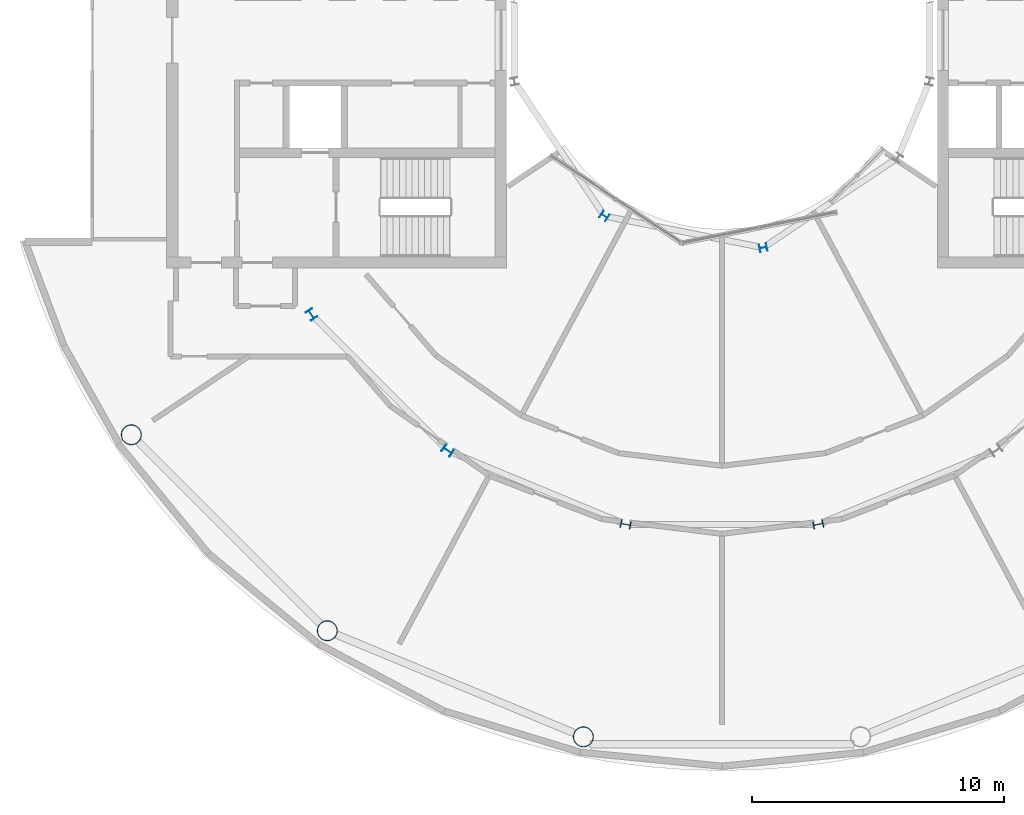
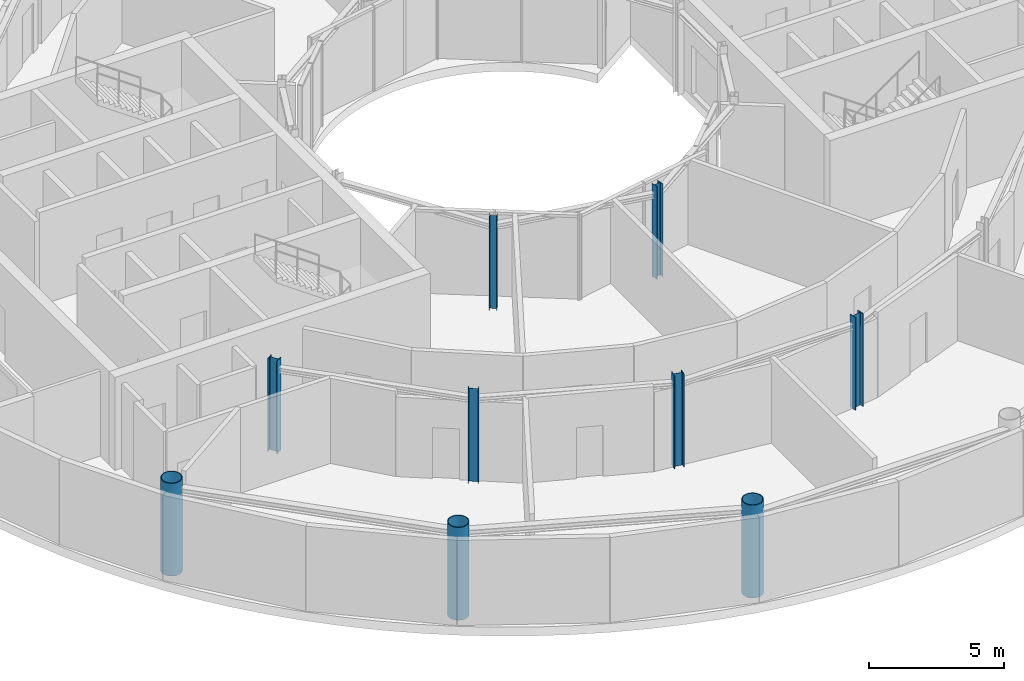
# One storey, part 1 of 19: 9 columns.
"""IFC4 building model written with IfcOpenShell, lengths in metres."""

from ifc_helpers import new_model, si_unit, direction, frame, origin, origin_2d, place, context, subcontext, project, spatial, hollow_circle, i_section, extrude, material, material_profile, profile_set, type_object, element, save


model = new_model("IFC4")

# Units and contexts
model_context = context("Model", 3, precision=1e-05, world=origin(), true_north=direction((0.0, 1.0)))
body_context = subcontext(model_context, "Body", "Model", "MODEL_VIEW")
ifc_project = project(units=[si_unit("LENGTHUNIT", "METRE"), si_unit("AREAUNIT", "SQUARE_METRE"), si_unit("VOLUMEUNIT", "CUBIC_METRE"), si_unit("PLANEANGLEUNIT", "RADIAN"), si_unit("MASSUNIT", "GRAM", prefix="KILO")], contexts=[model_context])

# Site, building, storey
site_placement = place(None, origin())
site = spatial("IfcSite", under=ifc_project, at=site_placement, CompositionType="ELEMENT")
building_placement = place(site_placement, origin())
building = spatial("IfcBuilding", under=site, at=building_placement, Name="Maasbend Ring Residences", CompositionType="ELEMENT")
storey_placement = place(building_placement, frame((0.0, 0.0, 186.0)))
storey = spatial("IfcBuildingStorey", under=building, at=storey_placement, Name="L53", CompositionType="ELEMENT", Elevation=186.0)

# Columns
ifc_material_1 = material(Name="Composite concrete-filled steel tube S460NH / C80/95", Category="concrete")
ifc_material_profile_1 = material_profile(ifc_material_1, hollow_circle(Radius=0.406494140625, WallThickness=0.030029296875, at=origin_2d()), Name="Composite tube column CHS 813x30")
ifc_profile_set_1 = profile_set([ifc_material_profile_1], Name="Composite concrete-filled steel tube S460NH / C80/95")
column_type_1 = type_object("IfcColumnType", Name="Composite tube column CHS 813x30", PredefinedType="COLUMN", material=ifc_profile_set_1)
for number, where, z_axis, x_axis, name in (
    (1, (-23.447509765625, -15.6669921875, 0.0), (0.0, 0.0, 1.0), (1.0, 0.0, 0.0), "Outer column R10"),
    (2, (-15.6669921875, -23.447509765625, 0.0), (0.0, 0.0, 1.0), (1.0, 0.0, 0.0), "Outer column R11"),
    (3, (-5.50146484375, -27.658203125, 0.0), (0.0, 0.0, 1.0), (1.0, 0.0, 0.0), "Outer column R12"),
):
    element("IfcColumn", number, at=place(storey_placement, frame(where, z_axis=z_axis, x_axis=x_axis)), inside=storey, type_object=column_type_1, Name=name, PredefinedType="COLUMN", context=body_context, shape_type="SweptSolid", body=[
        extrude(hollow_circle(Radius=0.406494140625, WallThickness=0.030029296875, at=origin_2d()), origin(), (0.0, 0.0, 1.0), 4.199951171875),
    ])
ifc_material_2 = material(Name="Steel S355J2", Category="steel")
ifc_material_profile_2 = material_profile(ifc_material_2, i_section(OverallWidth=0.300048828125, OverallDepth=0.2900390625, WebThickness=0.008544921875, FlangeThickness=0.013916015625, FilletRadius=0.027099609375, at=origin_2d()), Name="HEA 300")
ifc_profile_set_2 = profile_set([ifc_material_profile_2], Name="Steel S355J2")
column_type_2 = type_object("IfcColumnType", Name="Steel column HEA 300", PredefinedType="COLUMN", material=ifc_profile_set_2)
for number, where, z_axis, x_axis, name in (
    (4, (-4.666748046875, -6.984375, 0.0), (0.0, 0.0, 1.0), (-0.55557023302, -0.831469612303, 0.0), "Well ring column R11"),
    (5, (1.638916015625, -8.238525390625, 0.0), (0.0, 0.0, 1.0), (0.195090322016, -0.980785280403, 0.0), "Well ring column R13"),
):
    element("IfcColumn", number, at=place(storey_placement, frame(where, z_axis=z_axis, x_axis=x_axis)), inside=storey, type_object=column_type_2, Name=name, PredefinedType="COLUMN", context=body_context, shape_type="SweptSolid", body=[
        extrude(i_section(OverallWidth=0.300048828125, OverallDepth=0.2900390625, WebThickness=0.008544921875, FlangeThickness=0.013916015625, FilletRadius=0.027099609375, at=origin_2d()), origin(), (0.0, 0.0, 1.0), 4.199951171875),
    ])
ifc_material_3 = material(Name="Steel S355J2", Category="steel")
ifc_material_profile_3 = material_profile(ifc_material_3, i_section(OverallWidth=0.300048828125, OverallDepth=0.39990234375, WebThickness=0.013427734375, FlangeThickness=0.02392578125, FilletRadius=0.027099609375, at=origin_2d()), Name="HEB 400")
ifc_profile_set_3 = profile_set([ifc_material_profile_3], Name="Steel S355J2")
column_type_3 = type_object("IfcColumnType", Name="Steel column HEB 400", PredefinedType="COLUMN", material=ifc_profile_set_3)
for number, where, z_axis, x_axis, name in (
    (6, (-16.296875, -10.88916015625, 0.0), (0.0, 0.0, 1.0), (-0.831469612303, -0.55557023302, 0.0), "Corridor ring column R10"),
    (7, (-10.88916015625, -16.296875, 0.0), (0.0, 0.0, 1.0), (-0.55557023302, -0.831469612303, 0.0), "Corridor ring column R11"),
    (8, (-3.82373046875, -19.223388671875, 0.0), (0.0, 0.0, 1.0), (-0.195090322016, -0.980785280403, 0.0), "Corridor ring column R12"),
    (9, (3.82373046875, -19.223388671875, 0.0), (0.0, 0.0, 1.0), (0.195090322016, -0.980785280403, 0.0), "Corridor ring column R13"),
):
    element("IfcColumn", number, at=place(storey_placement, frame(where, z_axis=z_axis, x_axis=x_axis)), inside=storey, type_object=column_type_3, Name=name, PredefinedType="COLUMN", context=body_context, shape_type="SweptSolid", body=[
        extrude(i_section(OverallWidth=0.300048828125, OverallDepth=0.39990234375, WebThickness=0.013427734375, FlangeThickness=0.02392578125, FilletRadius=0.027099609375, at=origin_2d()), origin(), (0.0, 0.0, 1.0), 4.199951171875),
    ])

save(model, "model.ifc")
